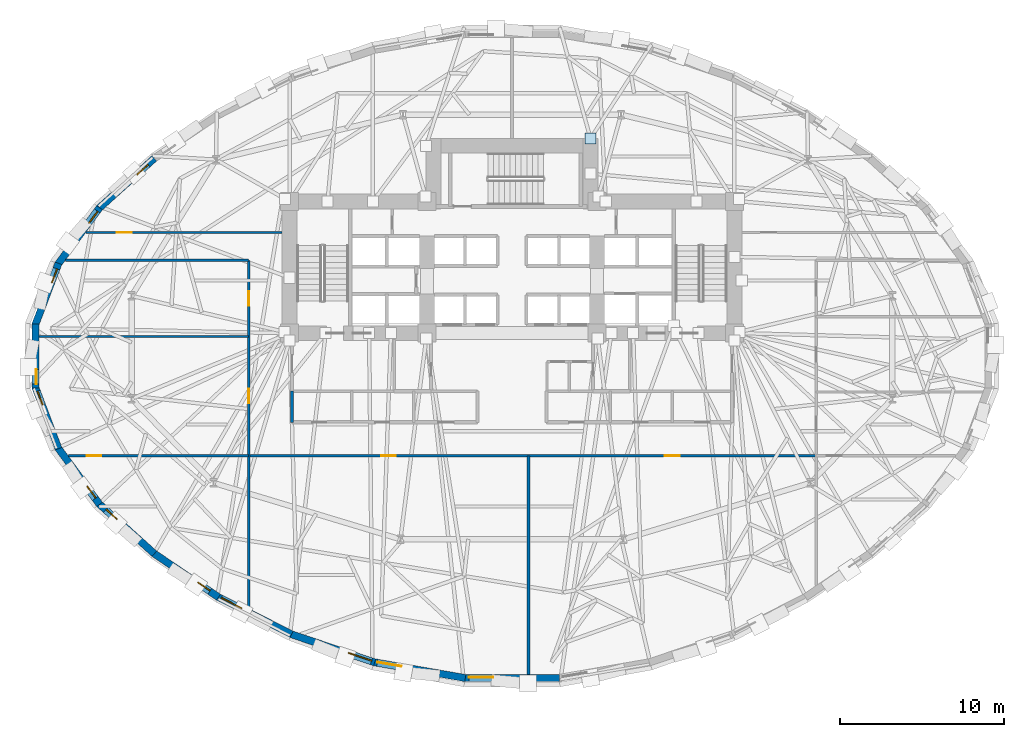
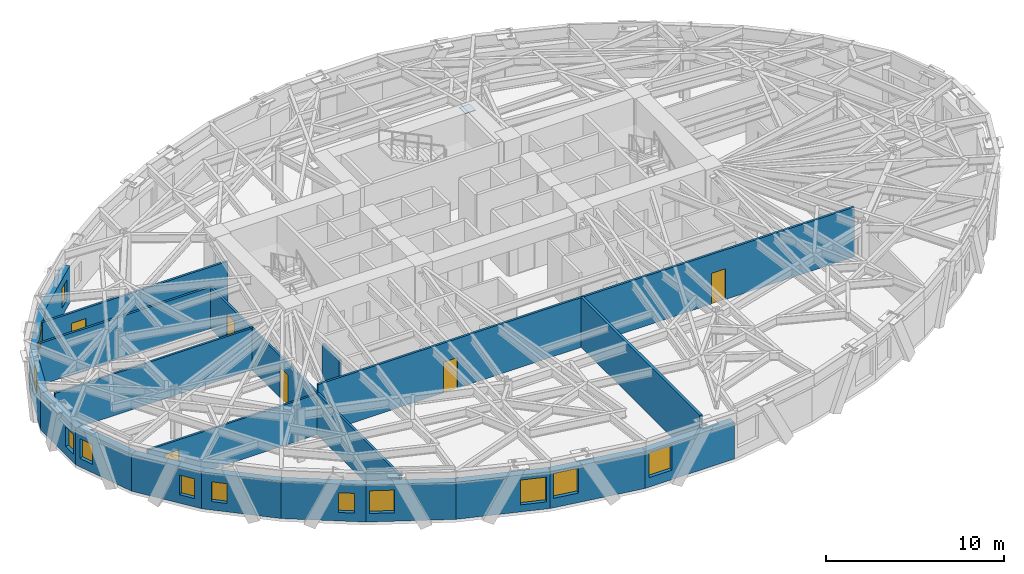
# One storey, part 6 of 14: 20 walls, 12 windows, 6 doors, 1 plate, 18 openings.
"""IFC4 building model written with IfcOpenShell, lengths in metres."""

from ifc_helpers import new_model, si_unit, direction, frame, frame_2d, origin, origin_2d, place, context, subcontext, project, spatial, rectangle, extrude, material, layer, layer_set, type_object, element, fill, save


model = new_model("IFC4")

# Units and contexts
model_context = context("Model", 3, precision=1e-05, world=origin(), true_north=direction((0.0, 1.0)))
body_context = subcontext(model_context, "Body", "Model", "MODEL_VIEW")
ifc_project = project(units=[si_unit("LENGTHUNIT", "METRE"), si_unit("AREAUNIT", "SQUARE_METRE"), si_unit("VOLUMEUNIT", "CUBIC_METRE"), si_unit("PLANEANGLEUNIT", "RADIAN"), si_unit("MASSUNIT", "GRAM", prefix="KILO")], contexts=[model_context])

# Site, building, storey
site_placement = place(None, origin())
site = spatial("IfcSite", under=ifc_project, at=site_placement, CompositionType="ELEMENT")
building_placement = place(site_placement, origin())
building = spatial("IfcBuilding", under=site, at=building_placement, Name="Keldmark Tower", CompositionType="ELEMENT")
storey_placement = place(building_placement, frame((0.0, 0.0, 63.0)))
storey = spatial("IfcBuildingStorey", under=building, at=storey_placement, Name="L16", CompositionType="ELEMENT", Elevation=63.0)

# Plate
ifc_material_1 = material(Name="Steel ASTM A572 Grade 50", Category="steel")
ifc_layer_1 = layer(ifc_material_1, 0.06005859375)
ifc_layer_set_1 = layer_set([ifc_layer_1], Name="Steel ASTM A572 Grade 50")
plate_type = type_object("IfcPlateType", Name="Belt Truss Kink Node Assembly KN01 60 mm", PredefinedType="USERDEFINED", material=ifc_layer_set_1)
plate_placement = place(storey_placement, frame((4.800048828125, 13.300048828125, 3.10400390625), z_axis=(0.0, 0.0, 1.0), x_axis=(1.0, 0.0, 0.0)))
element("IfcPlate", 1, at=plate_placement, inside=storey, type_object=plate_type, Name="L16 Core Wall Cast-In Embed Plate 421", ObjectType="CAP PLATE", PredefinedType="USERDEFINED", context=body_context, shape_type="SweptSolid", body=[
    extrude(rectangle(XDim=0.679931640625, YDim=0.679931640625, at=origin_2d()), origin(), (0.0, 0.0, 1.0), 0.054931640625),
])

# Wall, openings, doors
ifc_material_2 = material(Name="Acoustic Double-Layer Gypsum Corridor Partition", Category="gypsum")
ifc_layer_2 = layer(ifc_material_2, 0.139892578125)
ifc_layer_set_2 = layer_set([ifc_layer_2], Name="Acoustic Double-Layer Gypsum Corridor Partition")
wall_type_1 = type_object("IfcWallType", Name="Acoustic Corridor Partition 140 mm", PredefinedType="PARTITIONING", material=ifc_layer_set_2)
wall_1_placement = place(storey_placement, frame((-16.10009765625, -6.10009765625, 0.0), z_axis=(0.0, 0.0, 1.0), x_axis=(1.0, 0.0, 0.0)))
wall_1 = element("IfcWall", 2, at=wall_1_placement, inside=storey, type_object=wall_type_1, Name="L16 Acoustic Corridor Partition 140 mm COR-S", PredefinedType="PARTITIONING", context=body_context, shape_type="SweptSolid", body=[
    extrude(rectangle(XDim=34.7001953125, YDim=0.139892578125, at=frame_2d((17.35009765625, 0.0))), origin(), (0.0, 0.0, 1.0), 3.39990234375),
])
opening_1_placement = place(wall_1_placement, frame((8.10009765625, 0.0, 0.0)))
opening_1 = element("IfcOpeningElement", 3, at=opening_1_placement, cuts=wall_1, Name="Opening D-IN090", PredefinedType="OPENING", context=body_context, shape_type="SweptSolid", body=[
    extrude(rectangle(XDim=0.89990234375, YDim=2.10009765625, at=frame_2d((0.449951171875, 1.050048828125))), frame((0.0, 0.079833984375, 0.0), z_axis=(0.0, -1.0, 0.0), x_axis=(1.0, 0.0, 0.0)), (0.0, 0.0, 1.0), 0.159912109375),
])
opening_2_placement = place(wall_1_placement, frame((25.449951171875, 0.0, 0.0)))
opening_2 = element("IfcOpeningElement", 4, at=opening_2_placement, cuts=wall_1, Name="Opening D-IN090", PredefinedType="OPENING", context=body_context, shape_type="SweptSolid", body=[
    extrude(rectangle(XDim=0.89990234375, YDim=2.10009765625, at=frame_2d((0.449951171875, 1.050048828125))), frame((0.0, 0.079833984375, 0.0), z_axis=(0.0, -1.0, 0.0), x_axis=(1.0, 0.0, 0.0)), (0.0, 0.0, 1.0), 0.159912109375),
])
ifc_material_3 = material(Name="Stained American White Oak Veneer", Category="wood")
door_type_1 = type_object("IfcDoorType", Name="Interior Door 900x2100", OperationType="NOTDEFINED", PredefinedType="DOOR", material=ifc_material_3)
door_1_placement = place(opening_1_placement, origin())
door_1 = element("IfcDoor", 5, at=door_1_placement, inside=storey, type_object=door_type_1, Name="L16 Interior Door 900x2100 D-SR-1-L16", OperationType="SINGLE_SWING_LEFT", OverallHeight=2.10009765625, OverallWidth=0.89990234375, PredefinedType="DOOR", context=body_context, shape_type="SweptSolid", body=[
    extrude(rectangle(XDim=0.89990234375, YDim=2.10009765625, at=frame_2d((0.449951171875, 1.050048828125))), frame((0.0, 0.02490234375, 0.0), z_axis=(0.0, -1.0, 0.0), x_axis=(1.0, 0.0, 0.0)), (0.0, 0.0, 1.0), 0.050048828125),
])
fill(opening_1, door_1)
door_2_placement = place(opening_2_placement, origin())
door_2 = element("IfcDoor", 6, at=door_2_placement, inside=storey, type_object=door_type_1, Name="L16 Interior Door 900x2100 D-SR-2-L16", OperationType="SINGLE_SWING_RIGHT", OverallHeight=2.10009765625, OverallWidth=0.89990234375, PredefinedType="DOOR", context=body_context, shape_type="SweptSolid", body=[
    extrude(rectangle(XDim=0.89990234375, YDim=2.10009765625, at=frame_2d((0.449951171875, 1.050048828125))), frame((0.0, 0.02490234375, 0.0), z_axis=(0.0, -1.0, 0.0), x_axis=(1.0, 0.0, 0.0)), (0.0, 0.0, 1.0), 0.050048828125),
])
fill(opening_2, door_2)

wall_2_placement = place(storey_placement, frame((-16.10009765625, -15.427001953125, 0.0), z_axis=(0.0, 0.0, 1.0), x_axis=(0.0, 1.0, 0.0)))
wall_2 = element("IfcWall", 7, at=wall_2_placement, inside=storey, type_object=wall_type_1, Name="L16 Acoustic Corridor Partition 140 mm COR-W", PredefinedType="PARTITIONING", context=body_context, shape_type="SweptSolid", body=[
    extrude(rectangle(XDim=21.277099609375, YDim=0.139892578125, at=frame_2d((10.638671875, 0.0))), origin(), (0.0, 0.0, 1.0), 2.841064453125),
])
opening_3_placement = place(wall_2_placement, frame((12.526611328125, 0.0, 0.0)))
opening_3 = element("IfcOpeningElement", 8, at=opening_3_placement, cuts=wall_2, Name="Opening D-IN090", PredefinedType="OPENING", context=body_context, shape_type="SweptSolid", body=[
    extrude(rectangle(XDim=0.89990234375, YDim=2.10009765625, at=frame_2d((0.449951171875, 1.050048828125))), frame((0.0, 0.079833984375, 0.0), z_axis=(0.0, -1.0, 0.0), x_axis=(1.0, 0.0, 0.0)), (0.0, 0.0, 1.0), 0.159912109375),
])
opening_4_placement = place(wall_2_placement, frame((18.50146484375, 0.0, 0.0)))
opening_4 = element("IfcOpeningElement", 9, at=opening_4_placement, cuts=wall_2, Name="Opening D-IN090", PredefinedType="OPENING", context=body_context, shape_type="SweptSolid", body=[
    extrude(rectangle(XDim=0.89990234375, YDim=2.10009765625, at=frame_2d((0.449951171875, 1.050048828125))), frame((0.0, 0.079833984375, 0.0), z_axis=(0.0, -1.0, 0.0), x_axis=(1.0, 0.0, 0.0)), (0.0, 0.0, 1.0), 0.159912109375),
])
door_3_placement = place(opening_3_placement, origin())
door_3 = element("IfcDoor", 10, at=door_3_placement, inside=storey, type_object=door_type_1, Name="L16 Interior Door 900x2100 D-WR-1-L16", OperationType="SINGLE_SWING_LEFT", OverallHeight=2.10009765625, OverallWidth=0.89990234375, PredefinedType="DOOR", context=body_context, shape_type="SweptSolid", body=[
    extrude(rectangle(XDim=0.89990234375, YDim=2.10009765625, at=frame_2d((0.449951171875, 1.050048828125))), frame((0.0, 0.02490234375, 0.0), z_axis=(0.0, -1.0, 0.0), x_axis=(1.0, 0.0, 0.0)), (0.0, 0.0, 1.0), 0.050048828125),
])
fill(opening_3, door_3)
door_4_placement = place(opening_4_placement, origin())
door_4 = element("IfcDoor", 11, at=door_4_placement, inside=storey, type_object=door_type_1, Name="L16 Interior Door 900x2100 D-WR-2-L16", OperationType="SINGLE_SWING_RIGHT", OverallHeight=2.10009765625, OverallWidth=0.89990234375, PredefinedType="DOOR", context=body_context, shape_type="SweptSolid", body=[
    extrude(rectangle(XDim=0.89990234375, YDim=2.10009765625, at=frame_2d((0.449951171875, 1.050048828125))), frame((0.0, 0.02490234375, 0.0), z_axis=(0.0, -1.0, 0.0), x_axis=(1.0, 0.0, 0.0)), (0.0, 0.0, 1.0), 0.050048828125),
])
fill(opening_4, door_4)

# Wall, opening, door
wall_3_placement = place(storey_placement, frame((-26.0517578125, 7.550048828125, 0.0), z_axis=(0.0, 0.0, 1.0), x_axis=(1.0, 0.0, 0.0)))
wall_3 = element("IfcWall", 12, at=wall_3_placement, inside=storey, type_object=wall_type_1, Name="L16 Acoustic Corridor Partition 140 mm COR-WN-CAP", PredefinedType="PARTITIONING", context=body_context, shape_type="SweptSolid", body=[
    extrude(rectangle(XDim=12.001708984375, YDim=0.139892578125, at=frame_2d((6.0009765625, 0.0))), origin(), (0.0, 0.0, 1.0), 2.85302734375),
])
opening_5_placement = place(wall_3_placement, frame((1.871337890625, 0.0, 0.0)))
opening_5 = element("IfcOpeningElement", 13, at=opening_5_placement, cuts=wall_3, Name="Opening D-EX092", PredefinedType="OPENING", context=body_context, shape_type="SweptSolid", body=[
    extrude(rectangle(XDim=0.919921875, YDim=2.14990234375, at=frame_2d((0.4599609375, 1.074951171875))), frame((0.0, 0.079833984375, 0.0), z_axis=(0.0, -1.0, 0.0), x_axis=(1.0, 0.0, 0.0)), (0.0, 0.0, 1.0), 0.159912109375),
])
ifc_material_4 = material(Name="Flush American Ash Executive Office Door", Category="wood")
door_type_2 = type_object("IfcDoorType", Name="Executive Office Door 920x2150", OperationType="NOTDEFINED", PredefinedType="DOOR", material=ifc_material_4)
door_5_placement = place(opening_5_placement, origin())
door_5 = element("IfcDoor", 14, at=door_5_placement, inside=storey, type_object=door_type_2, Name="L16 Executive Office Door 920x2150 D-NRNW-L16", OperationType="SINGLE_SWING_LEFT", OverallHeight=2.14990234375, OverallWidth=0.919921875, PredefinedType="DOOR", context=body_context, shape_type="SweptSolid", body=[
    extrude(rectangle(XDim=0.919921875, YDim=2.14990234375, at=frame_2d((0.4599609375, 1.074951171875))), frame((0.0, 0.02490234375, 0.0), z_axis=(0.0, -1.0, 0.0), x_axis=(1.0, 0.0, 0.0)), (0.0, 0.0, 1.0), 0.050048828125),
])
fill(opening_5, door_5)

# Walls
wall_4_placement = place(storey_placement, frame((-27.30126953125, 5.85009765625, 0.0), z_axis=(0.0, 0.0, 1.0), x_axis=(1.0, 0.0, 0.0)))
element("IfcWall", 15, at=wall_4_placement, inside=storey, type_object=wall_type_1, Name="L16 Acoustic Corridor Partition 140 mm COR-WA-S", PredefinedType="PARTITIONING", context=body_context, shape_type="SweptSolid", body=[
    extrude(rectangle(XDim=11.201171875, YDim=0.139892578125, at=frame_2d((5.6005859375, 0.0))), origin(), (0.0, 0.0, 1.0), 2.85302734375),
])
ifc_material_5 = material(Name="STC-58 Insulated Tenant Demising Gypsum Partition", Category="gypsum")
ifc_layer_3 = layer(ifc_material_5, 0.175048828125)
ifc_layer_set_3 = layer_set([ifc_layer_3], Name="STC-58 Insulated Tenant Demising Gypsum Partition")
wall_type_2 = type_object("IfcWallType", Name="Demising Suite Partition 175 mm", PredefinedType="PARTITIONING", material=ifc_layer_set_3)
wall_5_placement = place(storey_placement, frame((1.0, -19.459228515625, 0.0), z_axis=(0.0, 0.0, 1.0), x_axis=(0.0, 1.0, 0.0)))
element("IfcWall", 16, at=wall_5_placement, inside=storey, type_object=wall_type_2, Name="L16 Demising Suite Partition 175 mm S-DIV-1", PredefinedType="PARTITIONING", context=body_context, shape_type="SweptSolid", body=[
    extrude(rectangle(XDim=13.359130859375, YDim=0.175048828125, at=frame_2d((6.6796875, 0.0))), origin(), (0.0, 0.0, 1.0), 3.39990234375),
])
ifc_material_6 = material(Name="Heavy Acoustic Plumbing Chase Gypsum Assembly", Category="gypsum")
ifc_layer_4 = layer(ifc_material_6, 0.18994140625)
ifc_layer_set_4 = layer_set([ifc_layer_4], Name="Heavy Acoustic Plumbing Chase Gypsum Assembly")
wall_type_3 = type_object("IfcWallType", Name="Heavy Wet Wall 190 mm", PredefinedType="PLUMBINGWALL", material=ifc_layer_set_4)
wall_6_placement = place(storey_placement, frame((-13.449951171875, -4.050048828125, 0.0), z_axis=(0.0, 0.0, 1.0), x_axis=(0.0, 1.0, 0.0)))
element("IfcWall", 17, at=wall_6_placement, inside=storey, type_object=wall_type_3, Name="L16 Heavy Wet Wall 190 mm SPK-W-W", PredefinedType="PLUMBINGWALL", context=body_context, shape_type="SweptSolid", body=[
    extrude(rectangle(XDim=1.900146484375, YDim=0.18994140625, at=frame_2d((0.9501953125, 0.0))), origin(), (0.0, 0.0, 1.0), 2.85302734375),
])

# Wall, opening, door
ifc_material_7 = material(Name="Acoustic Gypsum Board Interior Partition", Category="gypsum")
ifc_layer_5 = layer(ifc_material_7, 0.1298828125)
ifc_layer_set_5 = layer_set([ifc_layer_5], Name="Acoustic Gypsum Board Interior Partition")
wall_type_4 = type_object("IfcWallType", Name="Interior Partition 130 mm", PredefinedType="PARTITIONING", material=ifc_layer_set_5)
wall_7_placement = place(storey_placement, frame((-27.117431640625, -6.10009765625, 0.0), z_axis=(0.0, 0.0, 1.0), x_axis=(1.0, 0.0, 0.0)))
wall_7 = element("IfcWall", 18, at=wall_7_placement, inside=storey, type_object=wall_type_4, Name="L16 Interior Partition 130 mm W-CAP-S", PredefinedType="PARTITIONING", context=body_context, shape_type="SweptSolid", body=[
    extrude(rectangle(XDim=11.017333984375, YDim=0.1298828125, at=frame_2d((5.5087890625, 0.0))), origin(), (0.0, 0.0, 1.0), 2.779052734375),
])
opening_6_placement = place(wall_7_placement, frame((1.110107421875, 0.0, 0.0)))
opening_6 = element("IfcOpeningElement", 19, at=opening_6_placement, cuts=wall_7, Name="Opening D-IN090", PredefinedType="OPENING", context=body_context, shape_type="SweptSolid", body=[
    extrude(rectangle(XDim=0.89990234375, YDim=2.10009765625, at=frame_2d((0.449951171875, 1.050048828125))), frame((0.0, 0.074951171875, 0.0), z_axis=(0.0, -1.0, 0.0), x_axis=(1.0, 0.0, 0.0)), (0.0, 0.0, 1.0), 0.14990234375),
])
door_6_placement = place(opening_6_placement, origin())
door_6 = element("IfcDoor", 20, at=door_6_placement, inside=storey, type_object=door_type_1, Name="L16 Interior Door 900x2100 D-WRSW-L16", OperationType="SINGLE_SWING_LEFT", OverallHeight=2.10009765625, OverallWidth=0.89990234375, PredefinedType="DOOR", context=body_context, shape_type="SweptSolid", body=[
    extrude(rectangle(XDim=0.89990234375, YDim=2.10009765625, at=frame_2d((0.449951171875, 1.050048828125))), frame((0.0, 0.02490234375, 0.0), z_axis=(0.0, -1.0, 0.0), x_axis=(1.0, 0.0, 0.0)), (0.0, 0.0, 1.0), 0.050048828125),
])
fill(opening_6, door_6)

# Wall
wall_8_placement = place(storey_placement, frame((-28.9130859375, 1.199951171875, 0.0), z_axis=(0.0, 0.0, 1.0), x_axis=(1.0, 0.0, 0.0)))
element("IfcWall", 21, at=wall_8_placement, inside=storey, type_object=wall_type_4, Name="L16 Interior Partition 130 mm W-DIV-1", PredefinedType="PARTITIONING", context=body_context, shape_type="SweptSolid", body=[
    extrude(rectangle(XDim=12.81298828125, YDim=0.1298828125, at=frame_2d((6.406494140625, 0.0))), origin(), (0.0, 0.0, 1.0), 2.85302734375),
])

# Wall, opening, window
ifc_material_8 = material(Name="Ironspot Manganese Brick and Kasota Buff Limestone Spandrel Assembly", Category="masonry")
ifc_layer_6 = layer(ifc_material_8, 0.43994140625)
ifc_layer_set_6 = layer_set([ifc_layer_6], Name="Ironspot Manganese Brick and Kasota Buff Limestone Spandrel Assembly")
wall_type_5 = type_object("IfcWallType", Name="Tower Brick Pier and Spandrel Wall 440 mm", PredefinedType="STANDARD", material=ifc_layer_set_6)
wall_9_placement = place(storey_placement, frame((-25.24560546875, 9.039306640625, 0.0), z_axis=(0.0, 0.0, 1.0), x_axis=(0.742354052059, 0.670007806963, 0.0)))
wall_9 = element("IfcWall", 22, at=wall_9_placement, inside=storey, type_object=wall_type_5, Name="L16 Exterior Brick and Spandrel Wall 13", PredefinedType="STANDARD", context=body_context, shape_type="SweptSolid", body=[
    extrude(rectangle(XDim=4.549072265625, YDim=0.43994140625, at=frame_2d((2.2744140625, 0.0))), origin(), (0.0, 0.0, 1.0), 2.529052734375),
])
opening_7_placement = place(wall_9_placement, frame((3.09912109375, 0.0, 0.580078125)))
opening_7 = element("IfcOpeningElement", 23, at=opening_7_placement, cuts=wall_9, Name="Opening W-09", PredefinedType="OPENING", context=body_context, shape_type="SweptSolid", body=[
    extrude(rectangle(XDim=0.89990234375, YDim=1.35009765625, at=frame_2d((0.449951171875, 0.675048828125))), frame((0.0, 0.22998046875, 0.0), z_axis=(0.0, -1.0, 0.0), x_axis=(1.0, 0.0, 0.0)), (0.0, 0.0, 1.0), 0.4599609375),
])
ifc_material_9 = material(Name="Thermally Broken Anodized Aluminum and Triple Low-E Argon Glazing", Category="aluminium")
window_type_1 = type_object("IfcWindowType", Name="Corner Pier Deep-Set Window 900x1350", PartitioningType="SINGLE_PANEL", PredefinedType="WINDOW", material=ifc_material_9)
window_1_placement = place(opening_7_placement, origin())
window_1 = element("IfcWindow", 24, at=window_1_placement, inside=storey, type_object=window_type_1, Name="L16 Deep-Set Window 13", OverallHeight=1.35009765625, OverallWidth=0.89990234375, PartitioningType="SINGLE_PANEL", PredefinedType="WINDOW", context=body_context, shape_type="SweptSolid", body=[
    extrude(rectangle(XDim=0.89990234375, YDim=1.35009765625, at=frame_2d((0.449951171875, 0.675048828125))), frame((0.0, -0.010009765625, 0.0), z_axis=(0.0, -1.0, 0.0), x_axis=(1.0, 0.0, 0.0)), (0.0, 0.0, 1.0), 0.06005859375),
])
fill(opening_7, window_1)

wall_10_placement = place(storey_placement, frame((-27.757080078125, 5.614990234375, 0.0), z_axis=(0.0, 0.0, 1.0), x_axis=(0.592261182237, 0.80574604685, 0.0)))
wall_10 = element("IfcWall", 25, at=wall_10_placement, inside=storey, type_object=wall_type_5, Name="L16 Exterior Brick and Spandrel Wall 14", PredefinedType="STANDARD", context=body_context, shape_type="SweptSolid", body=[
    extrude(rectangle(XDim=4.290771484375, YDim=0.43994140625, at=frame_2d((2.1455078125, 0.0))), origin(), (0.0, 0.0, 1.0), 2.529052734375),
])
opening_8_placement = place(wall_10_placement, frame((3.140869140625, 0.0, 0.580078125)))
opening_8 = element("IfcOpeningElement", 26, at=opening_8_placement, cuts=wall_10, Name="Opening W-09", PredefinedType="OPENING", context=body_context, shape_type="SweptSolid", body=[
    extrude(rectangle(XDim=0.89990234375, YDim=1.35009765625, at=frame_2d((0.449951171875, 0.675048828125))), frame((0.0, 0.22998046875, 0.0), z_axis=(0.0, -1.0, 0.0), x_axis=(1.0, 0.0, 0.0)), (0.0, 0.0, 1.0), 0.4599609375),
])
window_2_placement = place(opening_8_placement, origin())
window_2 = element("IfcWindow", 27, at=window_2_placement, inside=storey, type_object=window_type_1, Name="L16 Deep-Set Window 14", OverallHeight=1.35009765625, OverallWidth=0.89990234375, PartitioningType="SINGLE_PANEL", PredefinedType="WINDOW", context=body_context, shape_type="SweptSolid", body=[
    extrude(rectangle(XDim=0.89990234375, YDim=1.35009765625, at=frame_2d((0.449951171875, 0.675048828125))), frame((0.0, -0.010009765625, 0.0), z_axis=(0.0, -1.0, 0.0), x_axis=(1.0, 0.0, 0.0)), (0.0, 0.0, 1.0), 0.06005859375),
])
fill(opening_8, window_2)

wall_11_placement = place(storey_placement, frame((-29.1552734375, 1.883056640625, 0.0), z_axis=(0.0, 0.0, 1.0), x_axis=(0.352750180024, 0.935717537771, 0.0)))
wall_11 = element("IfcWall", 28, at=wall_11_placement, inside=storey, type_object=wall_type_5, Name="L16 Exterior Brick and Spandrel Wall 15", PredefinedType="STANDARD", context=body_context, shape_type="SweptSolid", body=[
    extrude(rectangle(XDim=4.044677734375, YDim=0.43994140625, at=frame_2d((2.0224609375, 0.0))), origin(), (0.0, 0.0, 1.0), 2.529052734375),
])
opening_9_placement = place(wall_11_placement, frame((2.794921875, 0.0, 0.580078125)))
opening_9 = element("IfcOpeningElement", 29, at=opening_9_placement, cuts=wall_11, Name="Opening W-09", PredefinedType="OPENING", context=body_context, shape_type="SweptSolid", body=[
    extrude(rectangle(XDim=0.89990234375, YDim=1.35009765625, at=frame_2d((0.449951171875, 0.675048828125))), frame((0.0, 0.22998046875, 0.0), z_axis=(0.0, -1.0, 0.0), x_axis=(1.0, 0.0, 0.0)), (0.0, 0.0, 1.0), 0.4599609375),
])
window_3_placement = place(opening_9_placement, origin())
window_3 = element("IfcWindow", 30, at=window_3_placement, inside=storey, type_object=window_type_1, Name="L16 Deep-Set Window 15", OverallHeight=1.35009765625, OverallWidth=0.89990234375, PartitioningType="SINGLE_PANEL", PredefinedType="WINDOW", context=body_context, shape_type="SweptSolid", body=[
    extrude(rectangle(XDim=0.89990234375, YDim=1.35009765625, at=frame_2d((0.449951171875, 0.675048828125))), frame((0.0, -0.010009765625, 0.0), z_axis=(0.0, -1.0, 0.0), x_axis=(1.0, 0.0, 0.0)), (0.0, 0.0, 1.0), 0.06005859375),
])
fill(opening_9, window_3)

wall_12_placement = place(storey_placement, frame((-29.14111328125, -1.960693359375, 0.0), z_axis=(0.0, 0.0, 1.0), x_axis=(0.0, 1.0, 0.0)))
wall_12 = element("IfcWall", 31, at=wall_12_placement, inside=storey, type_object=wall_type_5, Name="L16 Exterior Brick and Spandrel Wall 16", PredefinedType="STANDARD", context=body_context, shape_type="SweptSolid", body=[
    extrude(rectangle(XDim=3.92138671875, YDim=0.43994140625, at=frame_2d((1.960693359375, 0.0))), origin(), (0.0, 0.0, 1.0), 2.532958984375),
])
opening_10_placement = place(wall_12_placement, frame((0.24951171875, 0.0, 0.580078125)))
opening_10 = element("IfcOpeningElement", 32, at=opening_10_placement, cuts=wall_12, Name="Opening W-09", PredefinedType="OPENING", context=body_context, shape_type="SweptSolid", body=[
    extrude(rectangle(XDim=0.89990234375, YDim=1.35009765625, at=frame_2d((0.449951171875, 0.675048828125))), frame((0.0, 0.22998046875, 0.0), z_axis=(0.0, -1.0, 0.0), x_axis=(1.0, 0.0, 0.0)), (0.0, 0.0, 1.0), 0.4599609375),
])
window_4_placement = place(opening_10_placement, origin())
window_4 = element("IfcWindow", 33, at=window_4_placement, inside=storey, type_object=window_type_1, Name="L16 Deep-Set Window 16", OverallHeight=1.35009765625, OverallWidth=0.89990234375, PartitioningType="SINGLE_PANEL", PredefinedType="WINDOW", context=body_context, shape_type="SweptSolid", body=[
    extrude(rectangle(XDim=0.89990234375, YDim=1.35009765625, at=frame_2d((0.449951171875, 0.675048828125))), frame((0.0, -0.010009765625, 0.0), z_axis=(0.0, -1.0, 0.0), x_axis=(1.0, 0.0, 0.0)), (0.0, 0.0, 1.0), 0.06005859375),
])
fill(opening_10, window_4)

wall_13_placement = place(storey_placement, frame((-27.728515625, -5.667724609375, 0.0), z_axis=(0.0, 0.0, 1.0), x_axis=(-0.352750180024, 0.935717537771, 0.0)))
wall_13 = element("IfcWall", 34, at=wall_13_placement, inside=storey, type_object=wall_type_5, Name="L16 Exterior Brick and Spandrel Wall 17", PredefinedType="STANDARD", context=body_context, shape_type="SweptSolid", body=[
    extrude(rectangle(XDim=4.044677734375, YDim=0.43994140625, at=frame_2d((2.0224609375, 0.0))), origin(), (0.0, 0.0, 1.0), 2.529052734375),
])
opening_11_placement = place(wall_13_placement, frame((2.844970703125, 0.0, 0.580078125)))
opening_11 = element("IfcOpeningElement", 35, at=opening_11_placement, cuts=wall_13, Name="Opening W-09", PredefinedType="OPENING", context=body_context, shape_type="SweptSolid", body=[
    extrude(rectangle(XDim=0.89990234375, YDim=1.35009765625, at=frame_2d((0.449951171875, 0.675048828125))), frame((0.0, 0.22998046875, 0.0), z_axis=(0.0, -1.0, 0.0), x_axis=(1.0, 0.0, 0.0)), (0.0, 0.0, 1.0), 0.4599609375),
])
window_5_placement = place(opening_11_placement, origin())
window_5 = element("IfcWindow", 36, at=window_5_placement, inside=storey, type_object=window_type_1, Name="L16 Deep-Set Window 17", OverallHeight=1.35009765625, OverallWidth=0.89990234375, PartitioningType="SINGLE_PANEL", PredefinedType="WINDOW", context=body_context, shape_type="SweptSolid", body=[
    extrude(rectangle(XDim=0.89990234375, YDim=1.35009765625, at=frame_2d((0.449951171875, 0.675048828125))), frame((0.0, -0.010009765625, 0.0), z_axis=(0.0, -1.0, 0.0), x_axis=(1.0, 0.0, 0.0)), (0.0, 0.0, 1.0), 0.06005859375),
])
fill(opening_11, window_5)

wall_14_placement = place(storey_placement, frame((-25.2158203125, -9.072265625, 0.0), z_axis=(0.0, 0.0, 1.0), x_axis=(-0.592261182237, 0.80574604685, 0.0)))
wall_14 = element("IfcWall", 37, at=wall_14_placement, inside=storey, type_object=wall_type_5, Name="L16 Exterior Brick and Spandrel Wall 18", PredefinedType="STANDARD", context=body_context, shape_type="SweptSolid", body=[
    extrude(rectangle(XDim=4.290771484375, YDim=0.43994140625, at=frame_2d((2.1455078125, 0.0))), origin(), (0.0, 0.0, 1.0), 2.529052734375),
])
opening_12_placement = place(wall_14_placement, frame((0.44921875, 0.0, 0.580078125)))
opening_12 = element("IfcOpeningElement", 38, at=opening_12_placement, cuts=wall_14, Name="Opening W-09", PredefinedType="OPENING", context=body_context, shape_type="SweptSolid", body=[
    extrude(rectangle(XDim=0.89990234375, YDim=1.35009765625, at=frame_2d((0.449951171875, 0.675048828125))), frame((0.0, 0.22998046875, 0.0), z_axis=(0.0, -1.0, 0.0), x_axis=(1.0, 0.0, 0.0)), (0.0, 0.0, 1.0), 0.4599609375),
])
window_6_placement = place(opening_12_placement, origin())
window_6 = element("IfcWindow", 39, at=window_6_placement, inside=storey, type_object=window_type_1, Name="L16 Deep-Set Window 18", OverallHeight=1.35009765625, OverallWidth=0.89990234375, PartitioningType="SINGLE_PANEL", PredefinedType="WINDOW", context=body_context, shape_type="SweptSolid", body=[
    extrude(rectangle(XDim=0.89990234375, YDim=1.35009765625, at=frame_2d((0.449951171875, 0.675048828125))), frame((0.0, -0.010009765625, 0.0), z_axis=(0.0, -1.0, 0.0), x_axis=(1.0, 0.0, 0.0)), (0.0, 0.0, 1.0), 0.06005859375),
])
fill(opening_12, window_6)

wall_15_placement = place(storey_placement, frame((-21.86865234375, -12.087158203125, 0.0), z_axis=(0.0, 0.0, 1.0), x_axis=(-0.742354052059, 0.670007806963, 0.0)))
wall_15 = element("IfcWall", 40, at=wall_15_placement, inside=storey, type_object=wall_type_5, Name="L16 Exterior Brick and Spandrel Wall 19", PredefinedType="STANDARD", context=body_context, shape_type="SweptSolid", body=[
    extrude(rectangle(XDim=4.549072265625, YDim=0.43994140625, at=frame_2d((2.2744140625, 0.0))), origin(), (0.0, 0.0, 1.0), 2.529052734375),
])
opening_13_placement = place(wall_15_placement, frame((3.09912109375, 0.0, 0.580078125)))
opening_13 = element("IfcOpeningElement", 41, at=opening_13_placement, cuts=wall_15, Name="Opening W-09", PredefinedType="OPENING", context=body_context, shape_type="SweptSolid", body=[
    extrude(rectangle(XDim=0.89990234375, YDim=1.35009765625, at=frame_2d((0.449951171875, 0.675048828125))), frame((0.0, 0.22998046875, 0.0), z_axis=(0.0, -1.0, 0.0), x_axis=(1.0, 0.0, 0.0)), (0.0, 0.0, 1.0), 0.4599609375),
])
window_7_placement = place(opening_13_placement, origin())
window_7 = element("IfcWindow", 42, at=window_7_placement, inside=storey, type_object=window_type_1, Name="L16 Deep-Set Window 19", OverallHeight=1.35009765625, OverallWidth=0.89990234375, PartitioningType="SINGLE_PANEL", PredefinedType="WINDOW", context=body_context, shape_type="SweptSolid", body=[
    extrude(rectangle(XDim=0.89990234375, YDim=1.35009765625, at=frame_2d((0.449951171875, 0.675048828125))), frame((0.0, -0.010009765625, 0.0), z_axis=(0.0, -1.0, 0.0), x_axis=(1.0, 0.0, 0.0)), (0.0, 0.0, 1.0), 0.06005859375),
])
fill(opening_13, window_7)

wall_16_placement = place(storey_placement, frame((-17.944580078125, -14.7451171875, 0.0), z_axis=(0.0, 0.0, 1.0), x_axis=(-0.827693991977, 0.561179699959, 0.0)))
wall_16 = element("IfcWall", 43, at=wall_16_placement, inside=storey, type_object=wall_type_5, Name="L16 Exterior Brick and Spandrel Wall 20", PredefinedType="STANDARD", context=body_context, shape_type="SweptSolid", body=[
    extrude(rectangle(XDim=4.769775390625, YDim=0.43994140625, at=frame_2d((2.384765625, 0.0))), origin(), (0.0, 0.0, 1.0), 2.529052734375),
])
opening_14_placement = place(wall_16_placement, frame((0.64599609375, 0.0, 0.580078125)))
opening_14 = element("IfcOpeningElement", 44, at=opening_14_placement, cuts=wall_16, Name="Opening W-09", PredefinedType="OPENING", context=body_context, shape_type="SweptSolid", body=[
    extrude(rectangle(XDim=0.89990234375, YDim=1.35009765625, at=frame_2d((0.449951171875, 0.675048828125))), frame((0.0, 0.22998046875, 0.0), z_axis=(0.0, -1.0, 0.0), x_axis=(1.0, 0.0, 0.0)), (0.0, 0.0, 1.0), 0.4599609375),
])
window_8_placement = place(opening_14_placement, origin())
window_8 = element("IfcWindow", 45, at=window_8_placement, inside=storey, type_object=window_type_1, Name="L16 Deep-Set Window 20", OverallHeight=1.35009765625, OverallWidth=0.89990234375, PartitioningType="SINGLE_PANEL", PredefinedType="WINDOW", context=body_context, shape_type="SweptSolid", body=[
    extrude(rectangle(XDim=0.89990234375, YDim=1.35009765625, at=frame_2d((0.449951171875, 0.675048828125))), frame((0.0, -0.010009765625, 0.0), z_axis=(0.0, -1.0, 0.0), x_axis=(1.0, 0.0, 0.0)), (0.0, 0.0, 1.0), 0.06005859375),
])
fill(opening_14, window_8)

wall_17_placement = place(storey_placement, frame((-13.47314453125, -17.020751953125, 0.0), z_axis=(0.0, 0.0, 1.0), x_axis=(-0.891072734441, 0.45386053137, 0.0)))
wall_17 = element("IfcWall", 46, at=wall_17_placement, inside=storey, type_object=wall_type_5, Name="L16 Exterior Brick and Spandrel Wall 21", PredefinedType="STANDARD", context=body_context, shape_type="SweptSolid", body=[
    extrude(rectangle(XDim=5.044677734375, YDim=0.43994140625, at=frame_2d((2.5224609375, 0.0))), origin(), (0.0, 0.0, 1.0), 2.529052734375),
])
opening_15_placement = place(wall_17_placement, frame((3.444580078125, 0.0, 0.580078125)))
opening_15 = element("IfcOpeningElement", 47, at=opening_15_placement, cuts=wall_17, Name="Opening W-08", PredefinedType="OPENING", context=body_context, shape_type="SweptSolid", body=[
    extrude(rectangle(XDim=1.39990234375, YDim=1.550048828125, at=frame_2d((0.699951171875, 0.77490234375))), frame((0.0, 0.22998046875, 0.0), z_axis=(0.0, -1.0, 0.0), x_axis=(1.0, 0.0, 0.0)), (0.0, 0.0, 1.0), 0.4599609375),
])
ifc_material_10 = material(Name="Thermally Broken Anodized Aluminum and Triple Low-E Argon Glazing", Category="aluminium")
window_type_2 = type_object("IfcWindowType", Name="Residential Corner Punched Window 1400x1550", PartitioningType="SINGLE_PANEL", PredefinedType="WINDOW", material=ifc_material_10)
window_9_placement = place(opening_15_placement, origin())
window_9 = element("IfcWindow", 48, at=window_9_placement, inside=storey, type_object=window_type_2, Name="L16 Deep-Set Window 21", OverallHeight=1.550048828125, OverallWidth=1.39990234375, PartitioningType="SINGLE_PANEL", PredefinedType="WINDOW", context=body_context, shape_type="SweptSolid", body=[
    extrude(rectangle(XDim=1.39990234375, YDim=1.550048828125, at=frame_2d((0.699951171875, 0.77490234375))), frame((0.0, -0.010009765625, 0.0), z_axis=(0.0, -1.0, 0.0), x_axis=(1.0, 0.0, 0.0)), (0.0, 0.0, 1.0), 0.06005859375),
])
fill(opening_15, window_9)

wall_18_placement = place(storey_placement, frame((-8.4033203125, -18.7314453125, 0.0), z_axis=(0.0, 0.0, 1.0), x_axis=(-0.947368862969, 0.320144088616, 0.0)))
wall_18 = element("IfcWall", 49, at=wall_18_placement, inside=storey, type_object=wall_type_5, Name="L16 Exterior Brick and Spandrel Wall 22", PredefinedType="STANDARD", context=body_context, shape_type="SweptSolid", body=[
    extrude(rectangle(XDim=5.38232421875, YDim=0.43994140625, at=frame_2d((2.691162109375, 0.0))), origin(), (0.0, 0.0, 1.0), 2.529052734375),
])
opening_16_placement = place(wall_18_placement, frame((0.199951171875, 0.0, 0.47998046875)))
opening_16 = element("IfcOpeningElement", 50, at=opening_16_placement, cuts=wall_18, Name="Opening W-03", PredefinedType="OPENING", context=body_context, shape_type="SweptSolid", body=[
    extrude(rectangle(XDim=1.5, YDim=1.699951171875, at=frame_2d((0.75, 0.85009765625))), frame((0.0, 0.22998046875, 0.0), z_axis=(0.0, -1.0, 0.0), x_axis=(1.0, 0.0, 0.0)), (0.0, 0.0, 1.0), 0.4599609375),
])
ifc_material_11 = material(Name="Thermally Broken Anodized Aluminum and Triple Low-E Argon Glazing", Category="aluminium")
window_type_3 = type_object("IfcWindowType", Name="Office Corner Deep-Set Window 1500x1700", PartitioningType="DOUBLE_PANEL_VERTICAL", PredefinedType="WINDOW", material=ifc_material_11)
window_10_placement = place(opening_16_placement, origin())
window_10 = element("IfcWindow", 51, at=window_10_placement, inside=storey, type_object=window_type_3, Name="L16 Deep-Set Window 22", OverallHeight=1.699951171875, OverallWidth=1.5, PartitioningType="SINGLE_PANEL", PredefinedType="WINDOW", context=body_context, shape_type="SweptSolid", body=[
    extrude(rectangle(XDim=1.5, YDim=1.699951171875, at=frame_2d((0.75, 0.85009765625))), frame((0.0, -0.010009765625, 0.0), z_axis=(0.0, -1.0, 0.0), x_axis=(1.0, 0.0, 0.0)), (0.0, 0.0, 1.0), 0.06005859375),
])
fill(opening_16, window_10)

wall_19_placement = place(storey_placement, frame((-2.854248046875, -19.6904296875, 0.0), z_axis=(0.0, 0.0, 1.0), x_axis=(-0.985308697227, 0.170782818716, 0.0)))
wall_19 = element("IfcWall", 52, at=wall_19_placement, inside=storey, type_object=wall_type_5, Name="L16 Exterior Brick and Spandrel Wall 23", PredefinedType="STANDARD", context=body_context, shape_type="SweptSolid", body=[
    extrude(rectangle(XDim=5.665283203125, YDim=0.43994140625, at=frame_2d((2.83251953125, 0.0))), origin(), (0.0, 0.0, 1.0), 2.529052734375),
])
opening_17_placement = place(wall_19_placement, frame((3.965087890625, 0.0, 0.64990234375)))
opening_17 = element("IfcOpeningElement", 53, at=opening_17_placement, cuts=wall_19, Name="Opening W-03", PredefinedType="OPENING", context=body_context, shape_type="SweptSolid", body=[
    extrude(rectangle(XDim=1.5, YDim=1.699951171875, at=frame_2d((0.75, 0.85009765625))), frame((0.0, 0.22998046875, 0.0), z_axis=(0.0, -1.0, 0.0), x_axis=(1.0, 0.0, 0.0)), (0.0, 0.0, 1.0), 0.4599609375),
])
window_11_placement = place(opening_17_placement, origin())
window_11 = element("IfcWindow", 54, at=window_11_placement, inside=storey, type_object=window_type_3, Name="L16 Deep-Set Window 23", OverallHeight=1.699951171875, OverallWidth=1.5, PartitioningType="SINGLE_PANEL", PredefinedType="WINDOW", context=body_context, shape_type="SweptSolid", body=[
    extrude(rectangle(XDim=1.5, YDim=1.699951171875, at=frame_2d((0.75, 0.85009765625))), frame((0.0, -0.010009765625, 0.0), z_axis=(0.0, -1.0, 0.0), x_axis=(1.0, 0.0, 0.0)), (0.0, 0.0, 1.0), 0.06005859375),
])
fill(opening_17, window_11)

wall_20_placement = place(storey_placement, frame((2.891845703125, -19.687255859375, 0.0), z_axis=(0.0, 0.0, 1.0), x_axis=(-1.0, 0.0, 0.0)))
wall_20 = element("IfcWall", 55, at=wall_20_placement, inside=storey, type_object=wall_type_5, Name="L16 Exterior Brick and Spandrel Wall 24", PredefinedType="STANDARD", context=body_context, shape_type="SweptSolid", body=[
    extrude(rectangle(XDim=5.78369140625, YDim=0.43994140625, at=frame_2d((2.891845703125, 0.0))), origin(), (0.0, 0.0, 1.0), 2.529052734375),
])
opening_18_placement = place(wall_20_placement, frame((4.03369140625, 0.0, 0.64990234375)))
opening_18 = element("IfcOpeningElement", 56, at=opening_18_placement, cuts=wall_20, Name="Opening W-03", PredefinedType="OPENING", context=body_context, shape_type="SweptSolid", body=[
    extrude(rectangle(XDim=1.5, YDim=1.699951171875, at=frame_2d((0.75, 0.85009765625))), frame((0.0, 0.22998046875, 0.0), z_axis=(0.0, -1.0, 0.0), x_axis=(1.0, 0.0, 0.0)), (0.0, 0.0, 1.0), 0.4599609375),
])
window_12_placement = place(opening_18_placement, origin())
window_12 = element("IfcWindow", 57, at=window_12_placement, inside=storey, type_object=window_type_3, Name="L16 Deep-Set Window 24", OverallHeight=1.699951171875, OverallWidth=1.5, PartitioningType="SINGLE_PANEL", PredefinedType="WINDOW", context=body_context, shape_type="SweptSolid", body=[
    extrude(rectangle(XDim=1.5, YDim=1.699951171875, at=frame_2d((0.75, 0.85009765625))), frame((0.0, -0.010009765625, 0.0), z_axis=(0.0, -1.0, 0.0), x_axis=(1.0, 0.0, 0.0)), (0.0, 0.0, 1.0), 0.06005859375),
])
fill(opening_18, window_12)

save(model, "model.ifc")
